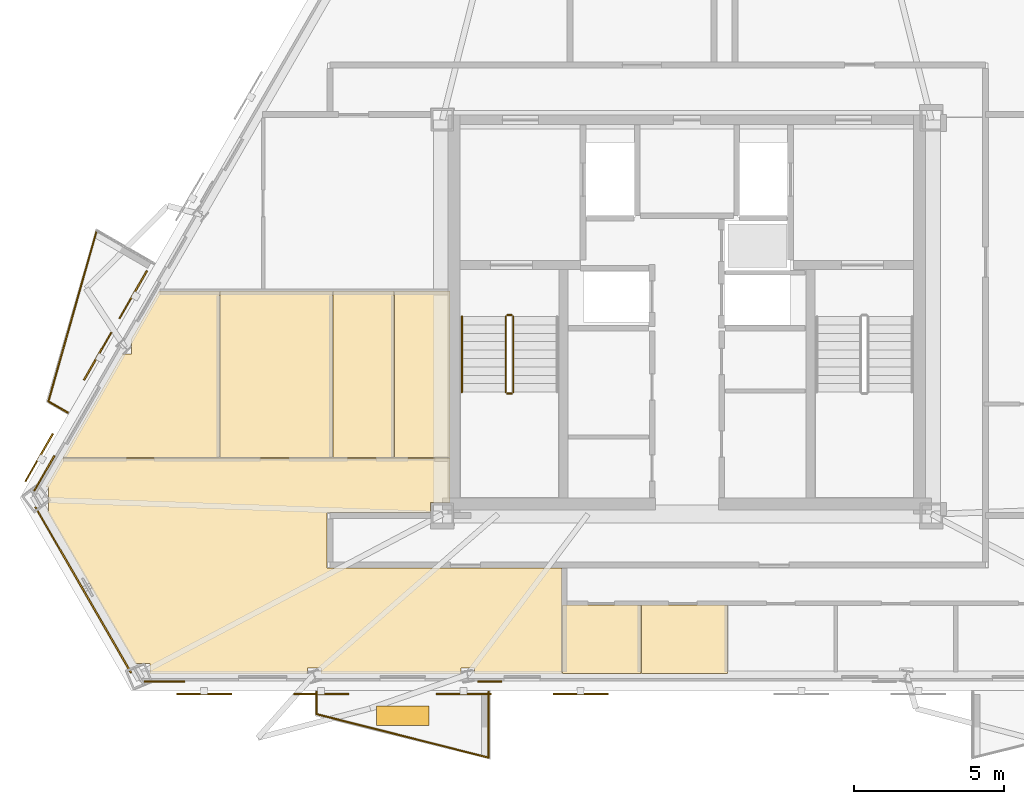
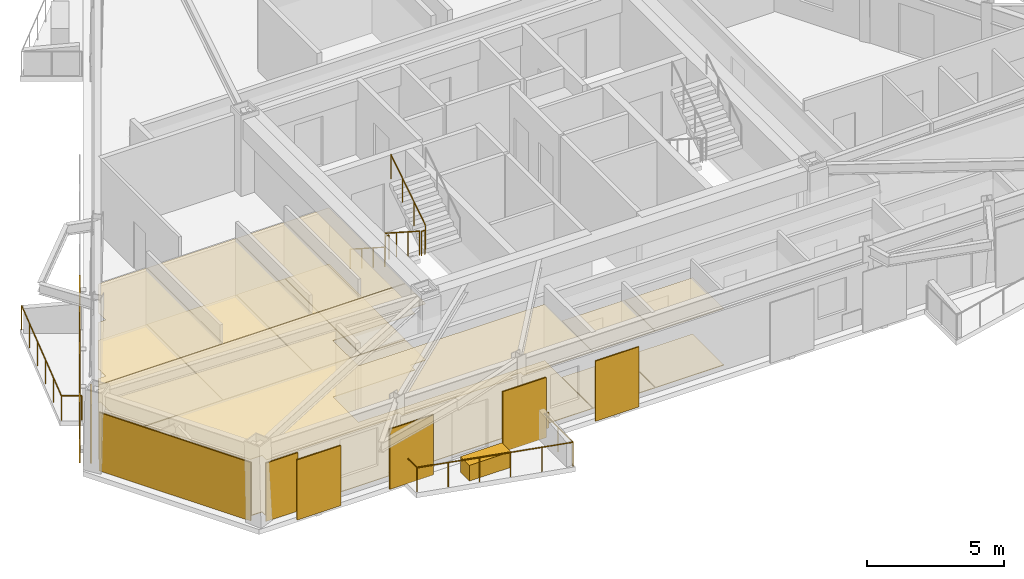
# One storey, part 7 of 11: 19 coverings, 10 railings, 7 shading devices.
"""IFC4 building model written with IfcOpenShell, lengths in metres."""

from ifc_helpers import new_model, si_unit, direction, frame, origin, origin_2d, place, context, subcontext, project, spatial, polyline, rectangle, circle, outline, extrude, material, layer, layer_set, type_object, element, save


model = new_model("IFC4")

# Units and contexts
model_context = context("Model", 3, precision=1e-05, world=origin(), true_north=direction((0.0, 1.0)))
body_context = subcontext(model_context, "Body", "Model", "MODEL_VIEW")
ifc_project = project(units=[si_unit("LENGTHUNIT", "METRE"), si_unit("AREAUNIT", "SQUARE_METRE"), si_unit("VOLUMEUNIT", "CUBIC_METRE"), si_unit("PLANEANGLEUNIT", "RADIAN"), si_unit("MASSUNIT", "GRAM", prefix="KILO")], contexts=[model_context])

# Site, building, storey
site_placement = place(None, origin())
site = spatial("IfcSite", under=ifc_project, at=site_placement, CompositionType="ELEMENT")
building_placement = place(site_placement, origin())
building = spatial("IfcBuilding", under=site, at=building_placement, Name="Oramaril Tower", CompositionType="ELEMENT")
storey_placement = place(building_placement, frame((0.0, 0.0, 212.699951171875)))
storey = spatial("IfcBuildingStorey", under=building, at=storey_placement, Name="L56", CompositionType="ELEMENT", Elevation=212.699951171875)

# Coverings
ifc_material_1 = material(Name="Mineral Fibre Acoustic Ceiling")
ifc_layer_1 = layer(ifc_material_1, 0.02001953125)
ifc_layer_set_1 = layer_set([ifc_layer_1], Name="CVT-CEIL")
covering_type_1 = type_object("IfcCoveringType", Name="CVT-CEIL", PredefinedType="CEILING", material=ifc_layer_set_1)
covering_1_placement = place(storey_placement, frame((0.0, 0.0, 2.511962890625)))
element("IfcCovering", 1, at=covering_1_placement, inside=storey, type_object=covering_type_1, Name="L56 Acoustic Suspended Ceiling 6", PredefinedType="CEILING", context=body_context, shape_type="SweptSolid", body=[
    extrude(outline(polyline([(35.9619140625, 5.69287109375), (33.35791015625, 5.69287109375), (33.35791015625, 7.967529296875), (35.9619140625, 7.967529296875), (35.9619140625, 5.69287109375)])), origin(), (0.0, 0.0, 1.0), 0.02001953125),
])
covering_2_placement = place(storey_placement, frame((0.0, 0.0, 2.511962890625)))
element("IfcCovering", 2, at=covering_2_placement, inside=storey, type_object=covering_type_1, Name="L56 Acoustic Suspended Ceiling 7", PredefinedType="CEILING", context=body_context, shape_type="SweptSolid", body=[
    extrude(outline(polyline([(35.98193359375, 5.69287109375), (35.98193359375, 7.967529296875), (38.855712890625, 7.967529296875), (38.855712890625, 5.69287109375), (35.98193359375, 5.69287109375)])), origin(), (0.0, 0.0, 1.0), 0.02001953125),
])
covering_3_placement = place(storey_placement, frame((0.0, 0.0, 2.511962890625)))
element("IfcCovering", 3, at=covering_3_placement, inside=storey, type_object=covering_type_1, Name="L56 Acoustic Suspended Ceiling 12", PredefinedType="CEILING", context=body_context, shape_type="SweptSolid", body=[
    extrude(outline(polyline([(29.60009765625, 12.869384765625), (29.60009765625, 11.39501953125), (28.955078125, 11.39501953125), (28.955078125, 11.050048828125), (25.52001953125, 11.050048828125), (25.51806640625, 11.0498046875), (25.51611328125, 11.049560546875), (25.51416015625, 11.049072265625), (25.51220703125, 11.048583984375), (25.510498046875, 11.047607421875), (25.5087890625, 11.046630859375), (25.50732421875, 11.04541015625), (25.505859375, 11.044189453125), (25.50439453125, 11.042724609375), (25.50341796875, 11.041015625), (25.50244140625, 11.039306640625), (25.50146484375, 11.03759765625), (25.5009765625, 11.035888671875), (25.50048828125, 11.033935546875), (25.5, 11.031982421875), (25.5, 11.030029296875), (25.5, 9.219970703125), (25.5, 9.218017578125), (25.50048828125, 9.216064453125), (25.5009765625, 9.214111328125), (25.50146484375, 9.21240234375), (25.50244140625, 9.210693359375), (25.50341796875, 9.208984375), (25.50439453125, 9.207275390625), (25.505859375, 9.205810546875), (25.50732421875, 9.20458984375), (25.5087890625, 9.203369140625), (25.510498046875, 9.202392578125), (25.51220703125, 9.201416015625), (25.51416015625, 9.200927734375), (25.51611328125, 9.200439453125), (25.51806640625, 9.2001953125), (25.52001953125, 9.199951171875), (33.337890625, 9.199951171875), (33.337890625, 7.987548828125), (33.338134765625, 7.985595703125), (33.33837890625, 7.983642578125), (33.3388671875, 7.981689453125), (33.339599609375, 7.979736328125), (33.34033203125, 7.97802734375), (33.3408203125, 7.9775390625), (33.34033203125, 7.976806640625), (33.339599609375, 7.97509765625), (33.3388671875, 7.973388671875), (33.33837890625, 7.971435546875), (33.338134765625, 7.969482421875), (33.337890625, 7.967529296875), (33.337890625, 5.69287109375), (30.414794921875, 5.69287109375), (30.414794921875, 5.87109375), (29.96484375, 5.87109375), (29.96484375, 5.69287109375), (25.3017578125, 5.69287109375), (25.3017578125, 5.87109375), (24.84375, 5.87109375), (24.84375, 5.69287109375), (19.608642578125, 5.69287109375), (19.608642578125, 6.021728515625), (19.111083984375, 6.021728515625), (16.17041015625, 11.115234375), (16.212890625, 11.115234375), (16.212890625, 11.91259765625), (16.13720703125, 11.91259765625), (16.689453125, 12.869384765625), (29.60009765625, 12.869384765625)])), origin(), (0.0, 0.0, 1.0), 0.02001953125),
])
covering_4_placement = place(storey_placement, frame((0.0, 0.0, 2.511962890625)))
element("IfcCovering", 4, at=covering_4_placement, inside=storey, type_object=covering_type_1, Name="L56 Acoustic Suspended Ceiling 13", PredefinedType="CEILING", context=body_context, shape_type="SweptSolid", body=[
    extrude(outline(polyline([(18.68994140625, 16.334228515625), (18.988525390625, 16.334228515625), (18.988525390625, 16.822998046875), (18.97216796875, 16.822998046875), (19.90673828125, 18.44189453125), (21.92041015625, 18.44189453125), (21.92041015625, 12.889404296875), (16.700927734375, 12.889404296875), (18.68994140625, 16.334228515625)])), origin(), (0.0, 0.0, 1.0), 0.02001953125),
])
covering_5_placement = place(storey_placement, frame((0.0, 0.0, 2.511962890625)))
element("IfcCovering", 5, at=covering_5_placement, inside=storey, type_object=covering_type_1, Name="L56 Acoustic Suspended Ceiling 14", PredefinedType="CEILING", context=body_context, shape_type="SweptSolid", body=[
    extrude(outline(polyline([(25.681884765625, 18.44189453125), (25.681884765625, 12.889404296875), (21.940185546875, 12.889404296875), (21.940185546875, 18.44189453125), (25.681884765625, 18.44189453125)])), origin(), (0.0, 0.0, 1.0), 0.02001953125),
])
covering_6_placement = place(storey_placement, frame((0.0, 0.0, 2.511962890625)))
element("IfcCovering", 6, at=covering_6_placement, inside=storey, type_object=covering_type_1, Name="L56 Acoustic Suspended Ceiling 15", PredefinedType="CEILING", context=body_context, shape_type="SweptSolid", body=[
    extrude(outline(polyline([(27.73193359375, 18.44189453125), (27.73193359375, 12.889404296875), (25.701904296875, 12.889404296875), (25.701904296875, 18.44189453125), (27.73193359375, 18.44189453125)])), origin(), (0.0, 0.0, 1.0), 0.02001953125),
])
covering_7_placement = place(storey_placement, frame((0.0, 0.0, 2.511962890625)))
element("IfcCovering", 7, at=covering_7_placement, inside=storey, type_object=covering_type_1, Name="L56 Acoustic Suspended Ceiling 16", PredefinedType="CEILING", context=body_context, shape_type="SweptSolid", body=[
    extrude(outline(polyline([(29.60009765625, 18.44189453125), (29.60009765625, 12.889404296875), (27.751953125, 12.889404296875), (27.751953125, 18.44189453125), (29.60009765625, 18.44189453125)])), origin(), (0.0, 0.0, 1.0), 0.02001953125),
])
ifc_material_2 = material(Name="Warm Cream Limestone", Category="masonry")
ifc_layer_2 = layer(ifc_material_2, 0.050048828125)
ifc_layer_set_2 = layer_set([ifc_layer_2], Name="CVT-CLD")
covering_type_2 = type_object("IfcCoveringType", Name="CVT-CLD", PredefinedType="CLADDING", material=ifc_layer_set_2)
covering_8_placement = place(storey_placement, frame((17.373291015625, 8.479736328125, 0.0400390625), z_axis=(0.0, 0.0, 1.0), x_axis=(0.5, -0.866025403784, 0.0)))
element("IfcCovering", 8, at=covering_8_placement, inside=storey, type_object=covering_type_2, Name="L56 Warm Cream Limestone Cladding", PredefinedType="CLADDING", context=body_context, shape_type="SweptSolid", body=[
    extrude(rectangle(XDim=6.379638671875, YDim=0.050048828125, at=origin_2d()), origin(), (0.0, 0.0, 1.0), 2.596923828125),
])
covering_9_placement = place(storey_placement, frame((20.088623046875, 5.416748046875, 0.0400390625), z_axis=(0.0, 0.0, 1.0), x_axis=(1.0, 0.0, 0.0)))
element("IfcCovering", 9, at=covering_9_placement, inside=storey, type_object=covering_type_2, Name="L56 Warm Cream Limestone Cladding", PredefinedType="CLADDING", context=body_context, shape_type="SweptSolid", body=[
    extrude(rectangle(XDim=1.35009765625, YDim=0.050048828125, at=origin_2d()), origin(), (0.0, 0.0, 1.0), 2.596923828125),
])
covering_10_placement = place(storey_placement, frame((30.92578125, 5.416748046875, 0.0400390625), z_axis=(0.0, 0.0, 1.0), x_axis=(1.0, 0.0, 0.0)))
element("IfcCovering", 10, at=covering_10_placement, inside=storey, type_object=covering_type_2, Name="L56 Warm Cream Limestone Spandrel Cladding", PredefinedType="CLADDING", context=body_context, shape_type="SweptSolid", body=[
    extrude(rectangle(XDim=0.800048828125, YDim=0.050048828125, at=origin_2d()), origin(), (0.0, 0.0, 1.0), 0.679931640625),
])
covering_11_placement = place(storey_placement, frame((16.078369140625, 12.36279296875, 0.0400390625), z_axis=(0.0, 0.0, 1.0), x_axis=(-0.4999984885, -0.866026276448, 0.0)))
element("IfcCovering", 11, at=covering_11_placement, inside=storey, type_object=covering_type_2, Name="L56 Warm Cream Limestone Cladding", PredefinedType="CLADDING", context=body_context, shape_type="SweptSolid", body=[
    extrude(rectangle(XDim=1.35009765625, YDim=0.050048828125, at=origin_2d()), origin(), (0.0, 0.0, 1.0), 2.596923828125),
])
covering_12_placement = place(storey_placement, frame((28.02294921875, 4.288330078125, 0.0), z_axis=(0.0, 0.0, 1.0), x_axis=(1.0, 0.0, 0.0)))
element("IfcCovering", 12, at=covering_12_placement, inside=storey, type_object=covering_type_2, Name="L56 Structural Tree Planter Box L56-BAL-S1", PredefinedType="CLADDING", context=body_context, shape_type="SweptSolid", body=[
    extrude(rectangle(XDim=1.75, YDim=0.64990234375, at=origin_2d()), origin(), (0.0, 0.0, 1.0), 0.699951171875),
])
ifc_material_3 = material(Name="Honed Quartzite Stone Flooring", Category="masonry")
ifc_layer_3 = layer(ifc_material_3, 0.02490234375)
ifc_layer_set_3 = layer_set([ifc_layer_3], Name="CVT-FLR")
covering_type_3 = type_object("IfcCoveringType", Name="CVT-FLR", PredefinedType="FLOORING", material=ifc_layer_set_3)
covering_13_placement = place(storey_placement, origin())
element("IfcCovering", 13, at=covering_13_placement, inside=storey, type_object=covering_type_3, Name="L56 Honed Stone Floor Finish 6", PredefinedType="FLOORING", context=body_context, shape_type="SweptSolid", body=[
    extrude(outline(polyline([(35.9619140625, 5.69287109375), (33.35791015625, 5.69287109375), (33.35791015625, 7.967529296875), (35.9619140625, 7.967529296875), (35.9619140625, 5.69287109375)])), origin(), (0.0, 0.0, 1.0), 0.025146484375),
])
covering_14_placement = place(storey_placement, origin())
element("IfcCovering", 14, at=covering_14_placement, inside=storey, type_object=covering_type_3, Name="L56 Honed Stone Floor Finish 7", PredefinedType="FLOORING", context=body_context, shape_type="SweptSolid", body=[
    extrude(outline(polyline([(35.98193359375, 5.69287109375), (35.98193359375, 7.967529296875), (38.855712890625, 7.967529296875), (38.855712890625, 5.69287109375), (35.98193359375, 5.69287109375)])), origin(), (0.0, 0.0, 1.0), 0.025146484375),
])
covering_15_placement = place(storey_placement, origin())
element("IfcCovering", 15, at=covering_15_placement, inside=storey, type_object=covering_type_3, Name="L56 Honed Stone Floor Finish 12", PredefinedType="FLOORING", context=body_context, shape_type="SweptSolid", body=[
    extrude(outline(polyline([(29.60009765625, 12.869384765625), (29.60009765625, 11.39501953125), (28.955078125, 11.39501953125), (28.955078125, 11.050048828125), (25.52001953125, 11.050048828125), (25.51806640625, 11.0498046875), (25.51611328125, 11.049560546875), (25.51416015625, 11.049072265625), (25.51220703125, 11.048583984375), (25.510498046875, 11.047607421875), (25.5087890625, 11.046630859375), (25.50732421875, 11.04541015625), (25.505859375, 11.044189453125), (25.50439453125, 11.042724609375), (25.50341796875, 11.041015625), (25.50244140625, 11.039306640625), (25.50146484375, 11.03759765625), (25.5009765625, 11.035888671875), (25.50048828125, 11.033935546875), (25.5, 11.031982421875), (25.5, 11.030029296875), (25.5, 9.219970703125), (25.5, 9.218017578125), (25.50048828125, 9.216064453125), (25.5009765625, 9.214111328125), (25.50146484375, 9.21240234375), (25.50244140625, 9.210693359375), (25.50341796875, 9.208984375), (25.50439453125, 9.207275390625), (25.505859375, 9.205810546875), (25.50732421875, 9.20458984375), (25.5087890625, 9.203369140625), (25.510498046875, 9.202392578125), (25.51220703125, 9.201416015625), (25.51416015625, 9.200927734375), (25.51611328125, 9.200439453125), (25.51806640625, 9.2001953125), (25.52001953125, 9.199951171875), (33.337890625, 9.199951171875), (33.337890625, 7.987548828125), (33.338134765625, 7.985595703125), (33.33837890625, 7.983642578125), (33.3388671875, 7.981689453125), (33.339599609375, 7.979736328125), (33.34033203125, 7.97802734375), (33.3408203125, 7.9775390625), (33.34033203125, 7.976806640625), (33.339599609375, 7.97509765625), (33.3388671875, 7.973388671875), (33.33837890625, 7.971435546875), (33.338134765625, 7.969482421875), (33.337890625, 7.967529296875), (33.337890625, 5.69287109375), (30.414794921875, 5.69287109375), (30.414794921875, 5.87109375), (29.96484375, 5.87109375), (29.96484375, 5.69287109375), (25.3017578125, 5.69287109375), (25.3017578125, 5.87109375), (24.84375, 5.87109375), (24.84375, 5.69287109375), (19.608642578125, 5.69287109375), (19.608642578125, 6.021728515625), (19.111083984375, 6.021728515625), (16.17041015625, 11.115234375), (16.212890625, 11.115234375), (16.212890625, 11.91259765625), (16.13720703125, 11.91259765625), (16.689453125, 12.869384765625), (29.60009765625, 12.869384765625)])), origin(), (0.0, 0.0, 1.0), 0.025146484375),
])
covering_16_placement = place(storey_placement, origin())
element("IfcCovering", 16, at=covering_16_placement, inside=storey, type_object=covering_type_3, Name="L56 Honed Stone Floor Finish 13", PredefinedType="FLOORING", context=body_context, shape_type="SweptSolid", body=[
    extrude(outline(polyline([(18.68994140625, 16.334228515625), (18.988525390625, 16.334228515625), (18.988525390625, 16.822998046875), (18.97216796875, 16.822998046875), (19.90673828125, 18.44189453125), (21.92041015625, 18.44189453125), (21.92041015625, 12.889404296875), (16.700927734375, 12.889404296875), (18.68994140625, 16.334228515625)])), origin(), (0.0, 0.0, 1.0), 0.025146484375),
])
covering_17_placement = place(storey_placement, origin())
element("IfcCovering", 17, at=covering_17_placement, inside=storey, type_object=covering_type_3, Name="L56 Honed Stone Floor Finish 14", PredefinedType="FLOORING", context=body_context, shape_type="SweptSolid", body=[
    extrude(outline(polyline([(25.681884765625, 18.44189453125), (25.681884765625, 12.889404296875), (21.940185546875, 12.889404296875), (21.940185546875, 18.44189453125), (25.681884765625, 18.44189453125)])), origin(), (0.0, 0.0, 1.0), 0.025146484375),
])
covering_18_placement = place(storey_placement, origin())
element("IfcCovering", 18, at=covering_18_placement, inside=storey, type_object=covering_type_3, Name="L56 Honed Stone Floor Finish 15", PredefinedType="FLOORING", context=body_context, shape_type="SweptSolid", body=[
    extrude(outline(polyline([(27.73193359375, 18.44189453125), (27.73193359375, 12.889404296875), (25.701904296875, 12.889404296875), (25.701904296875, 18.44189453125), (27.73193359375, 18.44189453125)])), origin(), (0.0, 0.0, 1.0), 0.025146484375),
])
covering_19_placement = place(storey_placement, origin())
element("IfcCovering", 19, at=covering_19_placement, inside=storey, type_object=covering_type_3, Name="L56 Honed Stone Floor Finish 16", PredefinedType="FLOORING", context=body_context, shape_type="SweptSolid", body=[
    extrude(outline(polyline([(29.60009765625, 18.44189453125), (29.60009765625, 12.889404296875), (27.751953125, 12.889404296875), (27.751953125, 18.44189453125), (29.60009765625, 18.44189453125)])), origin(), (0.0, 0.0, 1.0), 0.025146484375),
])

# Railings
ifc_material_4 = material(Name="Stainless Steel 316L", Category="steel")
railing_type_1 = type_object("IfcRailingType", Name="RLT-GRD", PredefinedType="GUARDRAIL", material=ifc_material_4)
railing_1_placement = place(storey_placement, frame((30.887939453125, 5.076904296875, 0.0)))
element("IfcRailing", 20, at=railing_1_placement, inside=storey, type_object=railing_type_1, Name="L56 Balcony Guardrail L56-BAL-S1.1", PredefinedType="GUARDRAIL", context=body_context, shape_type="SweptSolid", body=[
    extrude(circle(Radius=0.02392578125, at=origin_2d()), frame((0.0, 0.0, 1.076171875), z_axis=(0.0, -1.0, 0.0), x_axis=(1.0, 0.0, 0.0)), (0.0, 0.0, 1.0), 2.192138671875),
    extrude(circle(Radius=0.02099609375, at=origin_2d()), origin(), (0.0, 0.0, 1.0), 1.052001953125),
    extrude(circle(Radius=0.02099609375, at=origin_2d()), frame((0.0, -1.09619140625, 0.0)), (0.0, 0.0, 1.0), 1.052001953125),
    extrude(circle(Radius=0.02099609375, at=origin_2d()), frame((0.0, -2.192138671875, 0.0)), (0.0, 0.0, 1.0), 1.052001953125),
])
railing_2_placement = place(storey_placement, frame((30.887939453125, 2.884765625, 0.0)))
element("IfcRailing", 21, at=railing_2_placement, inside=storey, type_object=railing_type_1, Name="L56 Balcony Guardrail L56-BAL-S1.2", PredefinedType="GUARDRAIL", context=body_context, shape_type="SweptSolid", body=[
    extrude(circle(Radius=0.02392578125, at=origin_2d()), frame((0.0, 0.0, 1.076171875), z_axis=(-0.969443611257, 0.245314256807, 0.0), x_axis=(-0.245314256807, -0.969443611257, 0.0)), (0.0, 0.0, 1.0), 5.91064453125),
    extrude(circle(Radius=0.02099609375, at=origin_2d()), origin(), (0.0, 0.0, 1.0), 1.052001953125),
    extrude(circle(Radius=0.02099609375, at=origin_2d()), frame((-1.14599609375, 0.2900390625, 0.0)), (0.0, 0.0, 1.0), 1.052001953125),
    extrude(circle(Radius=0.02099609375, at=origin_2d()), frame((-2.2919921875, 0.580078125, 0.0)), (0.0, 0.0, 1.0), 1.052001953125),
    extrude(circle(Radius=0.02099609375, at=origin_2d()), frame((-3.43798828125, 0.869873046875, 0.0)), (0.0, 0.0, 1.0), 1.052001953125),
    extrude(circle(Radius=0.02099609375, at=origin_2d()), frame((-4.583984375, 1.159912109375, 0.0)), (0.0, 0.0, 1.0), 1.052001953125),
    extrude(circle(Radius=0.02099609375, at=origin_2d()), frame((-5.72998046875, 1.449951171875, 0.0)), (0.0, 0.0, 1.0), 1.052001953125),
])
railing_3_placement = place(storey_placement, frame((25.157958984375, 4.334716796875, 0.0)))
element("IfcRailing", 22, at=railing_3_placement, inside=storey, type_object=railing_type_1, Name="L56 Balcony Guardrail L56-BAL-S1.3", PredefinedType="GUARDRAIL", context=body_context, shape_type="SweptSolid", body=[
    extrude(circle(Radius=0.02392578125, at=origin_2d()), frame((0.0, 0.0, 1.076171875), z_axis=(0.0, 1.0, 0.0), x_axis=(-1.0, 0.0, 0.0)), (0.0, 0.0, 1.0), 0.7421875),
    extrude(circle(Radius=0.02099609375, at=origin_2d()), origin(), (0.0, 0.0, 1.0), 1.052001953125),
    extrude(circle(Radius=0.02099609375, at=origin_2d()), frame((0.0, 0.7421875, 0.0)), (0.0, 0.0, 1.0), 1.052001953125),
])
railing_4_placement = place(storey_placement, frame((16.85595703125, 14.389892578125, 0.0)))
element("IfcRailing", 23, at=railing_4_placement, inside=storey, type_object=railing_type_1, Name="L56 Balcony Guardrail L56-BAL-NW2.1", PredefinedType="GUARDRAIL", context=body_context, shape_type="SweptSolid", body=[
    extrude(circle(Radius=0.02392578125, at=origin_2d()), frame((0.0, 0.0, 1.076171875), z_axis=(-0.865966403178, 0.500102178127, 0.0), x_axis=(-0.500102178127, -0.865966403178, 0.0)), (0.0, 0.0, 1.0), 0.741943359375),
    extrude(circle(Radius=0.02099609375, at=origin_2d()), origin(), (0.0, 0.0, 1.0), 1.052001953125),
    extrude(circle(Radius=0.02099609375, at=origin_2d()), frame((-0.642578125, 0.37109375, 0.0)), (0.0, 0.0, 1.0), 1.052001953125),
])
railing_5_placement = place(storey_placement, frame((16.21337890625, 14.760986328125, 0.0)))
element("IfcRailing", 24, at=railing_5_placement, inside=storey, type_object=railing_type_1, Name="L56 Balcony Guardrail L56-BAL-NW2.2", PredefinedType="GUARDRAIL", context=body_context, shape_type="SweptSolid", body=[
    extrude(circle(Radius=0.02392578125, at=origin_2d()), frame((0.0, 0.0, 1.076171875), z_axis=(0.272287109361, 0.962216051662, 0.0), x_axis=(-0.962216051662, 0.272287109361, 0.0)), (0.0, 0.0, 1.0), 5.91064453125),
    extrude(circle(Radius=0.02099609375, at=origin_2d()), origin(), (0.0, 0.0, 1.0), 1.052001953125),
    extrude(circle(Radius=0.02099609375, at=origin_2d()), frame((0.32177734375, 1.137451171875, 0.0)), (0.0, 0.0, 1.0), 1.052001953125),
    extrude(circle(Radius=0.02099609375, at=origin_2d()), frame((0.643798828125, 2.27490234375, 0.0)), (0.0, 0.0, 1.0), 1.052001953125),
    extrude(circle(Radius=0.02099609375, at=origin_2d()), frame((0.965576171875, 3.412353515625, 0.0)), (0.0, 0.0, 1.0), 1.052001953125),
    extrude(circle(Radius=0.02099609375, at=origin_2d()), frame((1.28759765625, 4.5498046875, 0.0)), (0.0, 0.0, 1.0), 1.052001953125),
    extrude(circle(Radius=0.02099609375, at=origin_2d()), frame((1.609375, 5.687255859375, 0.0)), (0.0, 0.0, 1.0), 1.052001953125),
])
railing_6_placement = place(storey_placement, frame((31.4599609375, 17.590087890625, 0.179931640625)))
element("IfcRailing", 25, at=railing_6_placement, inside=storey, type_object=railing_type_1, Name="L56 ST-1 stair guard 1", PredefinedType="GUARDRAIL", context=body_context, shape_type="SweptSolid", body=[
    extrude(circle(Radius=0.02392578125, at=origin_2d()), frame((0.0, 0.0, 1.076171875), z_axis=(0.0, -0.841162588446, 0.540782303519), x_axis=(1.0, 0.0, 0.0)), (0.0, 0.0, 1.0), 2.995849609375),
    extrude(circle(Radius=0.02099609375, at=origin_2d()), origin(), (0.0, 0.0, 1.0), 1.052001953125),
    extrude(circle(Radius=0.02099609375, at=origin_2d()), frame((0.0, -0.840087890625, 0.5400390625)), (0.0, 0.0, 1.0), 1.052001953125),
    extrude(circle(Radius=0.02099609375, at=origin_2d()), frame((0.0, -1.679931640625, 1.080078125)), (0.0, 0.0, 1.0), 1.052001953125),
    extrude(circle(Radius=0.02099609375, at=origin_2d()), frame((0.0, -2.52001953125, 1.6201171875)), (0.0, 0.0, 1.0), 1.052001953125),
])
railing_7_placement = place(storey_placement, frame((31.510009765625, 15.02001953125, 1.800048828125)))
element("IfcRailing", 26, at=railing_7_placement, inside=storey, type_object=railing_type_1, Name="L56 ST-1 stair guard 2", PredefinedType="GUARDRAIL", context=body_context, shape_type="SweptSolid", body=[
    extrude(circle(Radius=0.02392578125, at=origin_2d()), frame((0.0, 0.0, 1.076171875), z_axis=(1.0, 0.0, 0.0), x_axis=(0.0, 1.0, 0.0)), (0.0, 0.0, 1.0), 0.14990234375),
    extrude(circle(Radius=0.02099609375, at=origin_2d()), origin(), (0.0, 0.0, 1.0), 1.052001953125),
    extrude(circle(Radius=0.02099609375, at=origin_2d()), frame((0.14990234375, 0.0, 0.0)), (0.0, 0.0, 1.0), 1.052001953125),
])
railing_8_placement = place(storey_placement, frame((31.7099609375, 15.070068359375, 1.97998046875)))
element("IfcRailing", 27, at=railing_8_placement, inside=storey, type_object=railing_type_1, Name="L56 ST-1 stair guard 3", PredefinedType="GUARDRAIL", context=body_context, shape_type="SweptSolid", body=[
    extrude(circle(Radius=0.02392578125, at=origin_2d()), frame((0.0, 0.0, 1.076171875), z_axis=(0.0, 0.841162588446, 0.540782303519), x_axis=(-1.0, 0.0, 0.0)), (0.0, 0.0, 1.0), 2.995849609375),
    extrude(circle(Radius=0.02099609375, at=origin_2d()), origin(), (0.0, 0.0, 1.0), 1.052001953125),
    extrude(circle(Radius=0.02099609375, at=origin_2d()), frame((0.0, 0.840087890625, 0.5400390625)), (0.0, 0.0, 1.0), 1.052001953125),
    extrude(circle(Radius=0.02099609375, at=origin_2d()), frame((0.0, 1.679931640625, 1.080078125)), (0.0, 0.0, 1.0), 1.052001953125),
    extrude(circle(Radius=0.02099609375, at=origin_2d()), frame((0.0, 2.52001953125, 1.6201171875)), (0.0, 0.0, 1.0), 1.052001953125),
])
railing_9_placement = place(storey_placement, frame((31.510009765625, 17.639892578125, 0.0)))
element("IfcRailing", 28, at=railing_9_placement, inside=storey, type_object=railing_type_1, Name="L56 ST-1 stair guard 4", PredefinedType="GUARDRAIL", context=body_context, shape_type="SweptSolid", body=[
    extrude(circle(Radius=0.02392578125, at=origin_2d()), frame((0.0, 0.0, 1.076171875), z_axis=(1.0, 0.0, 0.0), x_axis=(0.0, 1.0, 0.0)), (0.0, 0.0, 1.0), 0.14990234375),
    extrude(circle(Radius=0.02099609375, at=origin_2d()), origin(), (0.0, 0.0, 1.0), 1.052001953125),
    extrude(circle(Radius=0.02099609375, at=origin_2d()), frame((0.14990234375, 0.0, 0.0)), (0.0, 0.0, 1.0), 1.052001953125),
])
ifc_material_5 = material(Name="Stainless Steel 316L", Category="steel")
railing_type_2 = type_object("IfcRailingType", Name="RLT-HND", PredefinedType="HANDRAIL", material=ifc_material_5)
railing_10_placement = place(storey_placement, frame((30.0, 17.590087890625, 0.179931640625)))
element("IfcRailing", 29, at=railing_10_placement, inside=storey, type_object=railing_type_2, Name="L56 ST-1 stair handrail 1", PredefinedType="HANDRAIL", context=body_context, shape_type="SweptSolid", body=[
    extrude(circle(Radius=0.02392578125, at=origin_2d()), frame((0.0, 0.0, 0.8759765625), z_axis=(0.0, -0.841162588446, 0.540782303519), x_axis=(1.0, 0.0, 0.0)), (0.0, 0.0, 1.0), 2.995849609375),
    extrude(circle(Radius=0.02099609375, at=origin_2d()), origin(), (0.0, 0.0, 1.0), 0.851806640625),
    extrude(circle(Radius=0.02099609375, at=origin_2d()), frame((0.0, -0.840087890625, 0.5400390625)), (0.0, 0.0, 1.0), 0.851806640625),
    extrude(circle(Radius=0.02099609375, at=origin_2d()), frame((0.0, -1.679931640625, 1.080078125)), (0.0, 0.0, 1.0), 0.851806640625),
    extrude(circle(Radius=0.02099609375, at=origin_2d()), frame((0.0, -2.52001953125, 1.6201171875)), (0.0, 0.0, 1.0), 0.851806640625),
])

# Shading devices
for number, where, z_axis, x_axis, name in (
    (30, (21.404541015625, 5.0048828125, -0.02001953125), (0.0, 0.0, 1.0), (1.0, 0.0, 0.0), "L56 Perforated Ceramic Solar Screen"),
    (31, (25.304443359375, 5.0048828125, -0.02001953125), (0.0, 0.0, 1.0), (1.0, 0.0, 0.0), "L56 Perforated Ceramic Solar Screen"),
    (32, (30.055908203125, 5.0048828125, -0.02001953125), (0.0, 0.0, 1.0), (1.0, 0.0, 0.0), "L56 Perforated Ceramic Solar Screen"),
    (33, (33.9560546875, 5.0048828125, -0.02001953125), (0.0, 0.0, 1.0), (1.0, 0.0, 0.0), "L56 Perforated Ceramic Solar Screen"),
    (34, (17.854736328125, 16.263671875, -0.02001953125), (0.0, 0.0, 1.0), (-0.4999984885, -0.866026276448, 0.0), "L56 Perforated Ceramic Solar Screen"),
    (35, (15.90478515625, 12.885986328125, -0.02001953125), (0.0, 0.0, 1.0), (-0.4999984885, -0.866026276448, 0.0), "L56 Perforated Ceramic Solar Screen"),
    (36, (19.04150390625, 18.319091796875, -0.02001953125), (0.0, 0.0, 1.0), (-0.4999984885, -0.866026276448, 0.0), "L56 Perforated Ceramic Solar Screen"),
):
    element("IfcShadingDevice", number, at=place(storey_placement, frame(where, z_axis=z_axis, x_axis=x_axis)), inside=storey, Name=name, ObjectType="SCREEN", PredefinedType="USERDEFINED", context=body_context, shape_type="SweptSolid", body=[
        extrude(rectangle(XDim=1.8330078125, YDim=0.050048828125, at=origin_2d()), origin(), (0.0, 0.0, 1.0), 2.677001953125),
    ])

save(model, "model.ifc")
